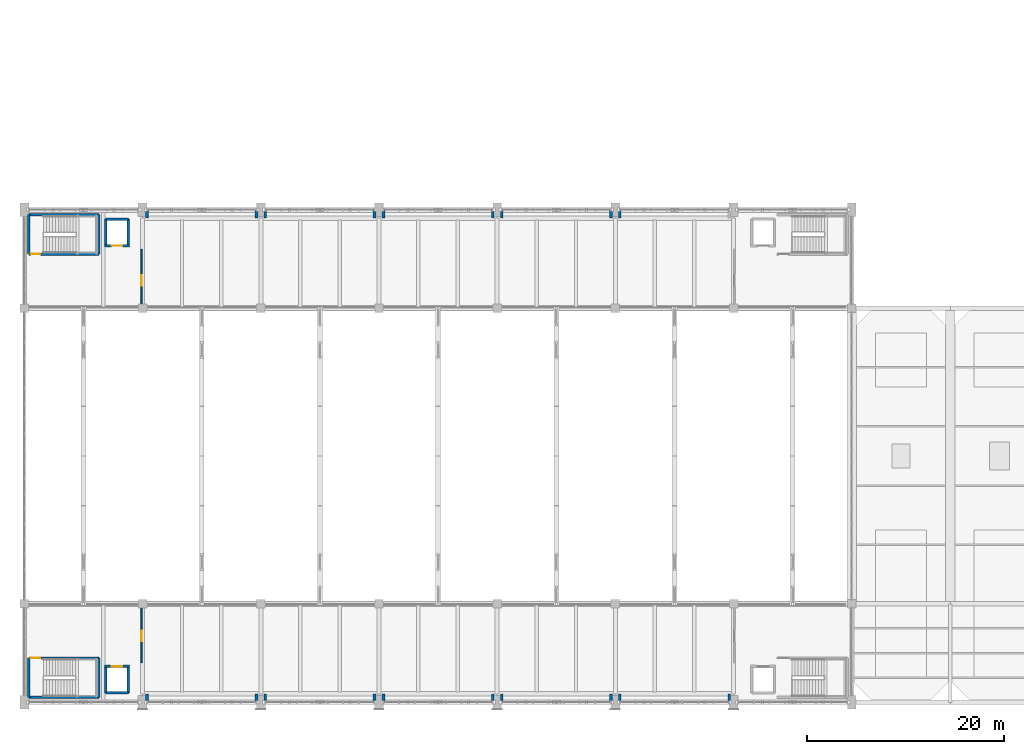
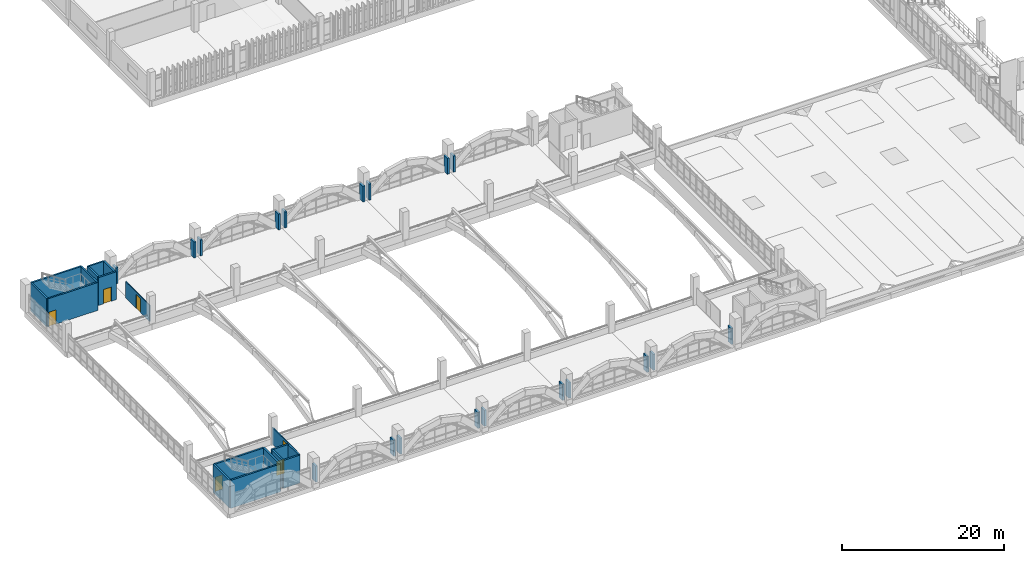
# One storey, part 145 of 161: 37 walls, 6 doors, 6 openings.
"""IFC4 building model written with IfcOpenShell, lengths in metres."""

from ifc_helpers import new_model, si_unit, direction, frame, frame_2d, origin, place, context, subcontext, project, spatial, rectangle, extrude, material, layer, layer_set, type_object, element, fill, save


model = new_model("IFC4")

# Units and contexts
model_context = context("Model", 3, precision=1e-05, world=origin(), true_north=direction((0.0, 1.0)))
body_context = subcontext(model_context, "Body", "Model", "MODEL_VIEW")
ifc_project = project(units=[si_unit("LENGTHUNIT", "METRE"), si_unit("AREAUNIT", "SQUARE_METRE"), si_unit("VOLUMEUNIT", "CUBIC_METRE"), si_unit("PLANEANGLEUNIT", "RADIAN"), si_unit("MASSUNIT", "GRAM", prefix="KILO")], contexts=[model_context])

# Site, building, storey
site_placement = place(None, origin())
site = spatial("IfcSite", under=ifc_project, at=site_placement, CompositionType="ELEMENT")
building_placement = place(site_placement, origin())
building = spatial("IfcBuilding", under=site, at=building_placement, Name="Mersad Railyard Sports Hall", CompositionType="ELEMENT")
storey_placement = place(building_placement, frame((0.0, 0.0, 4.800048828125)))
storey = spatial("IfcBuildingStorey", under=building, at=storey_placement, Name="L01", CompositionType="ELEMENT", Elevation=4.800048828125)

# Walls
ifc_material_1 = material(Name="Precast concrete C45/55", Category="concrete")
ifc_layer_1 = layer(ifc_material_1, 0.280029296875)
ifc_layer_set_1 = layer_set([ifc_layer_1], Name="Precast concrete C45/55")
wall_type_1 = type_object("IfcWallType", Name="ARC-WL-EW03", PredefinedType="SOLIDWALL", material=ifc_layer_set_1)
for number, where, z_axis, x_axis, name in (
    (1, (19.449951171875, 3.5, 0.0), (0.0, 0.0, 1.0), (0.0, 1.0, 0.0), "External wall EW03-0011"),
    (2, (30.550048828125, 4.35009765625, 0.0), (0.0, 0.0, 1.0), (0.0, -1.0, 0.0), "External wall EW03-0012"),
    (3, (19.449951171875, 52.64990234375, 0.0), (0.0, 0.0, 1.0), (0.0, 1.0, 0.0), "External wall EW03-0013"),
    (4, (30.550048828125, 53.5, 0.0), (0.0, 0.0, 1.0), (0.0, -1.0, 0.0), "External wall EW03-0014"),
    (5, (31.449951171875, 3.5, 0.0), (0.0, 0.0, 1.0), (0.0, 1.0, 0.0), "External wall EW03-0021"),
    (6, (42.550048828125, 4.35009765625, 0.0), (0.0, 0.0, 1.0), (0.0, -1.0, 0.0), "External wall EW03-0022"),
    (7, (31.449951171875, 52.64990234375, 0.0), (0.0, 0.0, 1.0), (0.0, 1.0, 0.0), "External wall EW03-0023"),
    (8, (42.550048828125, 53.5, 0.0), (0.0, 0.0, 1.0), (0.0, -1.0, 0.0), "External wall EW03-0024"),
    (9, (43.449951171875, 3.5, 0.0), (0.0, 0.0, 1.0), (0.0, 1.0, 0.0), "External wall EW03-0029"),
    (10, (54.550048828125, 4.35009765625, 0.0), (0.0, 0.0, 1.0), (0.0, -1.0, 0.0), "External wall EW03-0030"),
    (11, (43.449951171875, 52.64990234375, 0.0), (0.0, 0.0, 1.0), (0.0, 1.0, 0.0), "External wall EW03-0031"),
    (12, (54.550048828125, 53.5, 0.0), (0.0, 0.0, 1.0), (0.0, -1.0, 0.0), "External wall EW03-0032"),
    (13, (55.449951171875, 3.5, 0.0), (0.0, 0.0, 1.0), (0.0, 1.0, 0.0), "External wall EW03-0038"),
    (14, (66.550048828125, 4.35009765625, 0.0), (0.0, 0.0, 1.0), (0.0, -1.0, 0.0), "External wall EW03-0039"),
    (15, (55.449951171875, 52.64990234375, 0.0), (0.0, 0.0, 1.0), (0.0, 1.0, 0.0), "External wall EW03-0040"),
    (16, (66.550048828125, 53.5, 0.0), (0.0, 0.0, 1.0), (0.0, -1.0, 0.0), "External wall EW03-0041"),
    (17, (67.449951171875, 3.5, 0.0), (0.0, 0.0, 1.0), (0.0, 1.0, 0.0), "External wall EW03-0047"),
    (18, (78.550048828125, 4.35009765625, 0.0), (0.0, 0.0, 1.0), (0.0, -1.0, 0.0), "External wall EW03-0048"),
    (19, (67.449951171875, 52.64990234375, 0.0), (0.0, 0.0, 1.0), (0.0, 1.0, 0.0), "External wall EW03-0049"),
):
    element("IfcWall", number, at=place(storey_placement, frame(where, z_axis=z_axis, x_axis=x_axis)), inside=storey, type_object=wall_type_1, Name=name, PredefinedType="SOLIDWALL", context=body_context, shape_type="SweptSolid", body=[
        extrude(rectangle(XDim=0.85009765625, YDim=0.280029296875, at=frame_2d((0.425048828125, 0.0))), origin(), (0.0, 0.0, 1.0), 2.39990234375),
    ])

# Wall, opening, door
ifc_material_2 = material(Name="Gypsum plasterboard", Category="gypsum")
ifc_layer_2 = layer(ifc_material_2, 0.139892578125)
ifc_layer_set_2 = layer_set([ifc_layer_2], Name="Gypsum plasterboard")
wall_type_2 = type_object("IfcWallType", Name="ARC-WL-PT03", PredefinedType="PARTITIONING", material=ifc_layer_set_2)
wall_1_placement = place(storey_placement, frame((18.89990234375, 7.5, 0.0), z_axis=(0.0, 0.0, 1.0), x_axis=(0.0, 1.0, 0.0)))
wall_1 = element("IfcWall", 20, at=wall_1_placement, inside=storey, type_object=wall_type_2, Name="Interior wall PT03-0307", PredefinedType="PARTITIONING", context=body_context, shape_type="SweptSolid", body=[
    extrude(rectangle(XDim=5.89990234375, YDim=0.139892578125, at=frame_2d((2.949951171875, 0.0))), origin(), (0.0, 0.0, 1.0), 2.474853515625),
])
opening_1_placement = place(wall_1_placement, frame((2.199951171875, 0.0, 0.0)))
opening_1 = element("IfcOpeningElement", 21, at=opening_1_placement, cuts=wall_1, Name="Opening FD07", PredefinedType="OPENING", context=body_context, shape_type="SweptSolid", body=[
    extrude(rectangle(XDim=1.050048828125, YDim=2.10009765625, at=frame_2d((0.52490234375, 1.050048828125))), frame((0.0, 0.079833984375, 0.0), z_axis=(0.0, -1.0, 0.0), x_axis=(1.0, 0.0, 0.0)), (0.0, 0.0, 1.0), 0.159912109375),
])
ifc_material_3 = material(Name="Steel S355", Category="steel")
door_type_1 = type_object("IfcDoorType", Name="ARC-DR-FD07", OperationType="NOTDEFINED", PredefinedType="DOOR", material=ifc_material_3)
door_1_placement = place(opening_1_placement, origin())
door_1 = element("IfcDoor", 22, at=door_1_placement, inside=storey, type_object=door_type_1, Name="SW lift lobby door FD07-0140", OperationType="SINGLE_SWING_LEFT", OverallHeight=2.10009765625, OverallWidth=1.050048828125, PredefinedType="DOOR", context=body_context, shape_type="SweptSolid", body=[
    extrude(rectangle(XDim=1.050048828125, YDim=2.10009765625, at=frame_2d((0.52490234375, 1.050048828125))), frame((0.0, 0.02490234375, 0.0), z_axis=(0.0, -1.0, 0.0), x_axis=(1.0, 0.0, 0.0)), (0.0, 0.0, 1.0), 0.050048828125),
])
fill(opening_1, door_1)

wall_2_placement = place(storey_placement, frame((18.89990234375, 43.60009765625, 0.0), z_axis=(0.0, 0.0, 1.0), x_axis=(0.0, 1.0, 0.0)))
wall_2 = element("IfcWall", 23, at=wall_2_placement, inside=storey, type_object=wall_type_2, Name="Interior wall PT03-0332", PredefinedType="PARTITIONING", context=body_context, shape_type="SweptSolid", body=[
    extrude(rectangle(XDim=5.89990234375, YDim=0.139892578125, at=frame_2d((2.949951171875, 0.0))), origin(), (0.0, 0.0, 1.0), 2.474853515625),
])
opening_2_placement = place(wall_2_placement, frame((2.199951171875, 0.0, 0.0)))
opening_2 = element("IfcOpeningElement", 24, at=opening_2_placement, cuts=wall_2, Name="Opening FD07", PredefinedType="OPENING", context=body_context, shape_type="SweptSolid", body=[
    extrude(rectangle(XDim=1.050048828125, YDim=2.10009765625, at=frame_2d((0.52490234375, 1.050048828125))), frame((0.0, 0.079833984375, 0.0), z_axis=(0.0, -1.0, 0.0), x_axis=(1.0, 0.0, 0.0)), (0.0, 0.0, 1.0), 0.159912109375),
])
door_2_placement = place(opening_2_placement, origin())
door_2 = element("IfcDoor", 25, at=door_2_placement, inside=storey, type_object=door_type_1, Name="NW lift lobby door FD07-0150", OperationType="SINGLE_SWING_LEFT", OverallHeight=2.10009765625, OverallWidth=1.050048828125, PredefinedType="DOOR", context=body_context, shape_type="SweptSolid", body=[
    extrude(rectangle(XDim=1.050048828125, YDim=2.10009765625, at=frame_2d((0.52490234375, 1.050048828125))), frame((0.0, 0.02490234375, 0.0), z_axis=(0.0, -1.0, 0.0), x_axis=(1.0, 0.0, 0.0)), (0.0, 0.0, 1.0), 0.050048828125),
])
fill(opening_2, door_2)

# Walls
ifc_material_4 = material(Name="Concrete C40/50", Category="concrete")
ifc_layer_3 = layer(ifc_material_4, 0.239990234375)
ifc_layer_set_3 = layer_set([ifc_layer_3], Name="Concrete C40/50")
wall_type_3 = type_object("IfcWallType", Name="STR-WL-SW03", PredefinedType="SHEAR", material=ifc_layer_set_3)
for number, where, z_axis, x_axis, name in (
    (26, (15.25, 4.449951171875, 0.0), (0.0, 0.0, 1.0), (0.0, 1.0, 0.0), "Interior wall SW03-0110"),
    (27, (17.550048828125, 7.14990234375, 0.0), (0.0, 0.0, 1.0), (0.0, -1.0, 0.0), "Interior wall SW03-0111"),
):
    element("IfcWall", number, at=place(storey_placement, frame(where, z_axis=z_axis, x_axis=x_axis)), inside=storey, type_object=wall_type_3, Name=name, PredefinedType="SHEAR", context=body_context, shape_type="SweptSolid", body=[
        extrude(rectangle(XDim=2.699951171875, YDim=0.239990234375, at=frame_2d((1.35009765625, 0.0))), origin(), (0.0, 0.0, 1.0), 4.199951171875),
    ])
wall_3_placement = place(storey_placement, frame((17.550048828125, 4.449951171875, 0.0), z_axis=(0.0, 0.0, 1.0), x_axis=(-1.0, 0.0, 0.0)))
element("IfcWall", 28, at=wall_3_placement, inside=storey, type_object=wall_type_3, Name="Interior wall SW03-0112", PredefinedType="SHEAR", context=body_context, shape_type="SweptSolid", body=[
    extrude(rectangle(XDim=2.300048828125, YDim=0.239990234375, at=frame_2d((1.14990234375, 0.0))), origin(), (0.0, 0.0, 1.0), 4.199951171875),
])

# Wall, opening, door
wall_4_placement = place(storey_placement, frame((15.1298828125, 7.14990234375, 0.0), z_axis=(0.0, 0.0, 1.0), x_axis=(1.0, 0.0, 0.0)))
wall_4 = element("IfcWall", 29, at=wall_4_placement, inside=storey, type_object=wall_type_3, Name="Interior wall SW03-0113", PredefinedType="SHEAR", context=body_context, shape_type="SweptSolid", body=[
    extrude(rectangle(XDim=2.5400390625, YDim=0.239990234375, at=frame_2d((1.27001953125, 0.0))), origin(), (0.0, 0.0, 1.0), 4.199951171875),
])
opening_3_placement = place(wall_4_placement, frame((0.719970703125, 0.0, 0.0)))
opening_3 = element("IfcOpeningElement", 30, at=opening_3_placement, cuts=wall_4, Name="Opening LD01", PredefinedType="OPENING", context=body_context, shape_type="SweptSolid", body=[
    extrude(rectangle(XDim=1.10009765625, YDim=2.14990234375, at=frame_2d((0.550048828125, 1.074951171875))), frame((0.0, 0.1298828125, 0.0), z_axis=(0.0, -1.0, 0.0), x_axis=(1.0, 0.0, 0.0)), (0.0, 0.0, 1.0), 0.260009765625),
])
door_type_2 = type_object("IfcDoorType", Name="ARC-DR-LD01", OperationType="NOTDEFINED", PredefinedType="USERDEFINED", material=ifc_material_3)
door_3_placement = place(opening_3_placement, origin())
door_3 = element("IfcDoor", 31, at=door_3_placement, inside=storey, type_object=door_type_2, Name="Lift PL-07 landing door LD01-0030", ObjectType="LANDING DOOR", OperationType="DOUBLE_DOOR_SLIDING", OverallHeight=2.14990234375, OverallWidth=1.10009765625, PredefinedType="USERDEFINED", context=body_context, shape_type="SweptSolid", body=[
    extrude(rectangle(XDim=1.10009765625, YDim=2.14990234375, at=frame_2d((0.550048828125, 1.074951171875))), frame((0.0, 0.02490234375, 0.0), z_axis=(0.0, -1.0, 0.0), x_axis=(1.0, 0.0, 0.0)), (0.0, 0.0, 1.0), 0.050048828125),
])
fill(opening_3, door_3)

# Walls
for number, where, z_axis, x_axis, name in (
    (32, (15.25, 49.85009765625, 0.0), (0.0, 0.0, 1.0), (0.0, 1.0, 0.0), "Interior wall SW03-0132"),
    (33, (17.550048828125, 52.550048828125, 0.0), (0.0, 0.0, 1.0), (0.0, -1.0, 0.0), "Interior wall SW03-0133"),
):
    element("IfcWall", number, at=place(storey_placement, frame(where, z_axis=z_axis, x_axis=x_axis)), inside=storey, type_object=wall_type_3, Name=name, PredefinedType="SHEAR", context=body_context, shape_type="SweptSolid", body=[
        extrude(rectangle(XDim=2.699951171875, YDim=0.239990234375, at=frame_2d((1.35009765625, 0.0))), origin(), (0.0, 0.0, 1.0), 4.199951171875),
    ])
wall_5_placement = place(storey_placement, frame((15.25, 52.550048828125, 0.0), z_axis=(0.0, 0.0, 1.0), x_axis=(1.0, 0.0, 0.0)))
element("IfcWall", 34, at=wall_5_placement, inside=storey, type_object=wall_type_3, Name="Interior wall SW03-0134", PredefinedType="SHEAR", context=body_context, shape_type="SweptSolid", body=[
    extrude(rectangle(XDim=2.300048828125, YDim=0.239990234375, at=frame_2d((1.14990234375, 0.0))), origin(), (0.0, 0.0, 1.0), 4.199951171875),
])

# Wall, opening, door
wall_6_placement = place(storey_placement, frame((17.669921875, 49.85009765625, 0.0), z_axis=(0.0, 0.0, 1.0), x_axis=(-1.0, 0.0, 0.0)))
wall_6 = element("IfcWall", 35, at=wall_6_placement, inside=storey, type_object=wall_type_3, Name="Interior wall SW03-0135", PredefinedType="SHEAR", context=body_context, shape_type="SweptSolid", body=[
    extrude(rectangle(XDim=2.5400390625, YDim=0.239990234375, at=frame_2d((1.27001953125, 0.0))), origin(), (0.0, 0.0, 1.0), 4.199951171875),
])
opening_4_placement = place(wall_6_placement, frame((0.719970703125, 0.0, 0.0)))
opening_4 = element("IfcOpeningElement", 36, at=opening_4_placement, cuts=wall_6, Name="Opening LD01", PredefinedType="OPENING", context=body_context, shape_type="SweptSolid", body=[
    extrude(rectangle(XDim=1.10009765625, YDim=2.14990234375, at=frame_2d((0.550048828125, 1.074951171875))), frame((0.0, 0.1298828125, 0.0), z_axis=(0.0, -1.0, 0.0), x_axis=(1.0, 0.0, 0.0)), (0.0, 0.0, 1.0), 0.260009765625),
])
door_4_placement = place(opening_4_placement, origin())
door_4 = element("IfcDoor", 37, at=door_4_placement, inside=storey, type_object=door_type_2, Name="Lift PL-09 landing door LD01-0036", ObjectType="LANDING DOOR", OperationType="DOUBLE_DOOR_SLIDING", OverallHeight=2.14990234375, OverallWidth=1.10009765625, PredefinedType="USERDEFINED", context=body_context, shape_type="SweptSolid", body=[
    extrude(rectangle(XDim=1.10009765625, YDim=2.14990234375, at=frame_2d((0.550048828125, 1.074951171875))), frame((0.0, 0.02490234375, 0.0), z_axis=(0.0, -1.0, 0.0), x_axis=(1.0, 0.0, 0.0)), (0.0, 0.0, 1.0), 0.050048828125),
])
fill(opening_4, door_4)

# Walls
for number, where, z_axis, x_axis, name in (
    (38, (7.449951171875, 4.0, 0.0), (0.0, 0.0, 1.0), (0.0, 1.0, 0.0), "Interior wall SW03-0303"),
    (39, (14.550048828125, 4.0, 0.0), (0.0, 0.0, 1.0), (0.0, 1.0, 0.0), "Interior wall SW03-0304"),
):
    element("IfcWall", number, at=place(storey_placement, frame(where, z_axis=z_axis, x_axis=x_axis)), inside=storey, type_object=wall_type_3, Name=name, PredefinedType="SHEAR", context=body_context, shape_type="SweptSolid", body=[
        extrude(rectangle(XDim=4.0, YDim=0.239990234375, at=frame_2d((2.0, 0.0))), origin(), (0.0, 0.0, 1.0), 4.199951171875),
    ])
wall_7_placement = place(storey_placement, frame((7.449951171875, 4.0, 0.0), z_axis=(0.0, 0.0, 1.0), x_axis=(1.0, 0.0, 0.0)))
element("IfcWall", 40, at=wall_7_placement, inside=storey, type_object=wall_type_3, Name="Interior wall SW03-0305", PredefinedType="SHEAR", context=body_context, shape_type="SweptSolid", body=[
    extrude(rectangle(XDim=7.10009765625, YDim=0.239990234375, at=frame_2d((3.550048828125, 0.0))), origin(), (0.0, 0.0, 1.0), 4.199951171875),
])

# Wall, opening, door
wall_8_placement = place(storey_placement, frame((7.449951171875, 8.0, 0.0), z_axis=(0.0, 0.0, 1.0), x_axis=(1.0, 0.0, 0.0)))
wall_8 = element("IfcWall", 41, at=wall_8_placement, inside=storey, type_object=wall_type_3, Name="Interior wall SW03-0306", PredefinedType="SHEAR", context=body_context, shape_type="SweptSolid", body=[
    extrude(rectangle(XDim=7.10009765625, YDim=0.239990234375, at=frame_2d((3.550048828125, 0.0))), origin(), (0.0, 0.0, 1.0), 4.199951171875),
])
opening_5_placement = place(wall_8_placement, frame((0.179931640625, 0.0, 0.0)))
opening_5 = element("IfcOpeningElement", 42, at=opening_5_placement, cuts=wall_8, Name="Opening FD02", PredefinedType="OPENING", context=body_context, shape_type="SweptSolid", body=[
    extrude(rectangle(XDim=1.0, YDim=2.14990234375, at=frame_2d((0.5, 1.074951171875))), frame((0.0, 0.1298828125, 0.0), z_axis=(0.0, -1.0, 0.0), x_axis=(1.0, 0.0, 0.0)), (0.0, 0.0, 1.0), 0.260009765625),
])
door_type_3 = type_object("IfcDoorType", Name="ARC-DR-FD02", OperationType="NOTDEFINED", PredefinedType="DOOR", material=ifc_material_3)
door_5_placement = place(opening_5_placement, origin())
door_5 = element("IfcDoor", 43, at=door_5_placement, inside=storey, type_object=door_type_3, Name="SW pavilion stair door FD02-0139", OperationType="SINGLE_SWING_RIGHT", OverallHeight=2.14990234375, OverallWidth=1.0, PredefinedType="DOOR", context=body_context, shape_type="SweptSolid", body=[
    extrude(rectangle(XDim=1.0, YDim=2.14990234375, at=frame_2d((0.5, 1.074951171875))), frame((0.0, 0.02490234375, 0.0), z_axis=(0.0, -1.0, 0.0), x_axis=(1.0, 0.0, 0.0)), (0.0, 0.0, 1.0), 0.050048828125),
])
fill(opening_5, door_5)

# Walls
for number, where, z_axis, x_axis, name in (
    (44, (7.449951171875, 49.0, 0.0), (0.0, 0.0, 1.0), (0.0, 1.0, 0.0), "Interior wall SW03-0328"),
    (45, (14.550048828125, 49.0, 0.0), (0.0, 0.0, 1.0), (0.0, 1.0, 0.0), "Interior wall SW03-0329"),
):
    element("IfcWall", number, at=place(storey_placement, frame(where, z_axis=z_axis, x_axis=x_axis)), inside=storey, type_object=wall_type_3, Name=name, PredefinedType="SHEAR", context=body_context, shape_type="SweptSolid", body=[
        extrude(rectangle(XDim=4.0, YDim=0.239990234375, at=frame_2d((2.0, 0.0))), origin(), (0.0, 0.0, 1.0), 4.199951171875),
    ])
wall_9_placement = place(storey_placement, frame((7.449951171875, 53.0, 0.0), z_axis=(0.0, 0.0, 1.0), x_axis=(1.0, 0.0, 0.0)))
element("IfcWall", 46, at=wall_9_placement, inside=storey, type_object=wall_type_3, Name="Interior wall SW03-0330", PredefinedType="SHEAR", context=body_context, shape_type="SweptSolid", body=[
    extrude(rectangle(XDim=7.10009765625, YDim=0.239990234375, at=frame_2d((3.550048828125, 0.0))), origin(), (0.0, 0.0, 1.0), 4.199951171875),
])

# Wall, opening, door
wall_10_placement = place(storey_placement, frame((7.449951171875, 49.0, 0.0), z_axis=(0.0, 0.0, 1.0), x_axis=(1.0, 0.0, 0.0)))
wall_10 = element("IfcWall", 47, at=wall_10_placement, inside=storey, type_object=wall_type_3, Name="Interior wall SW03-0331", PredefinedType="SHEAR", context=body_context, shape_type="SweptSolid", body=[
    extrude(rectangle(XDim=7.10009765625, YDim=0.239990234375, at=frame_2d((3.550048828125, 0.0))), origin(), (0.0, 0.0, 1.0), 4.199951171875),
])
opening_6_placement = place(wall_10_placement, frame((0.179931640625, 0.0, 0.0)))
opening_6 = element("IfcOpeningElement", 48, at=opening_6_placement, cuts=wall_10, Name="Opening FD02", PredefinedType="OPENING", context=body_context, shape_type="SweptSolid", body=[
    extrude(rectangle(XDim=1.0, YDim=2.14990234375, at=frame_2d((0.5, 1.074951171875))), frame((0.0, 0.1298828125, 0.0), z_axis=(0.0, -1.0, 0.0), x_axis=(1.0, 0.0, 0.0)), (0.0, 0.0, 1.0), 0.260009765625),
])
door_6_placement = place(opening_6_placement, origin())
door_6 = element("IfcDoor", 49, at=door_6_placement, inside=storey, type_object=door_type_3, Name="NW pavilion stair door FD02-0149", OperationType="SINGLE_SWING_RIGHT", OverallHeight=2.14990234375, OverallWidth=1.0, PredefinedType="DOOR", context=body_context, shape_type="SweptSolid", body=[
    extrude(rectangle(XDim=1.0, YDim=2.14990234375, at=frame_2d((0.5, 1.074951171875))), frame((0.0, 0.02490234375, 0.0), z_axis=(0.0, -1.0, 0.0), x_axis=(1.0, 0.0, 0.0)), (0.0, 0.0, 1.0), 0.050048828125),
])
fill(opening_6, door_6)

save(model, "model.ifc")
